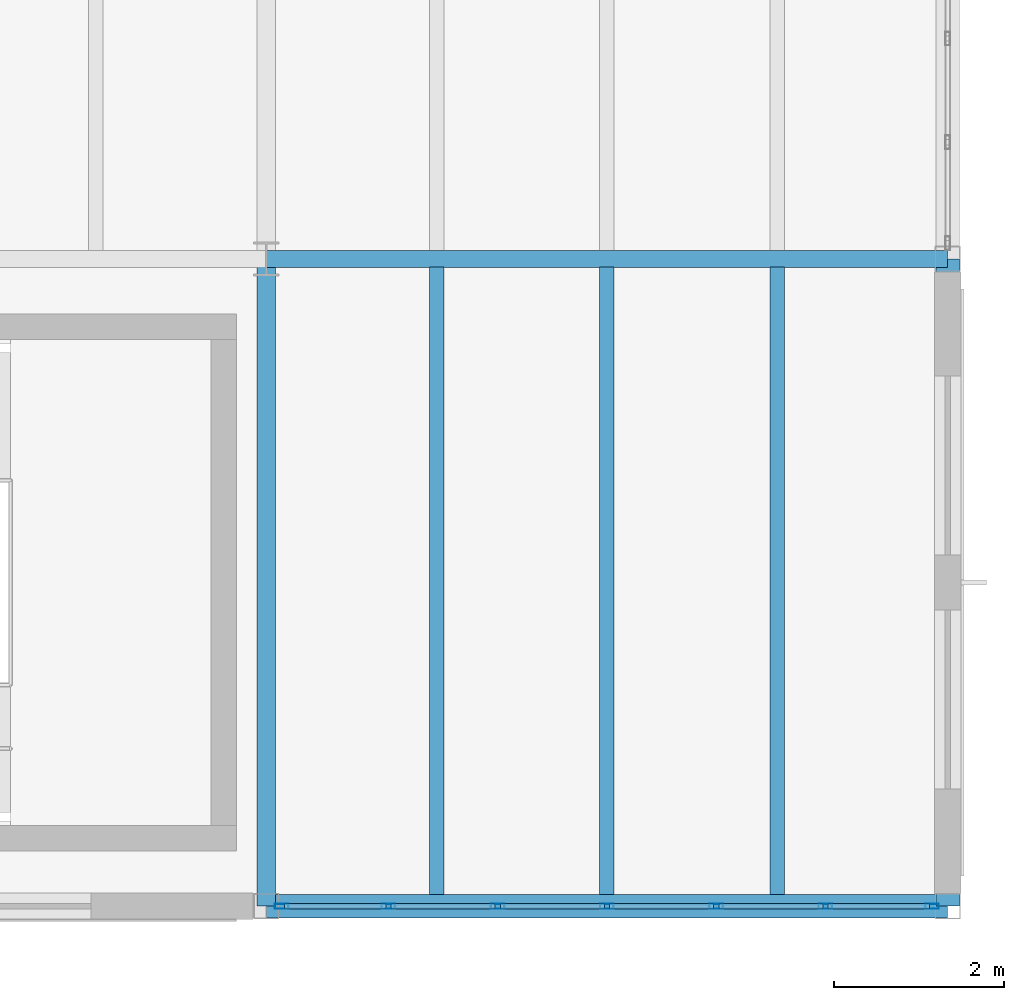
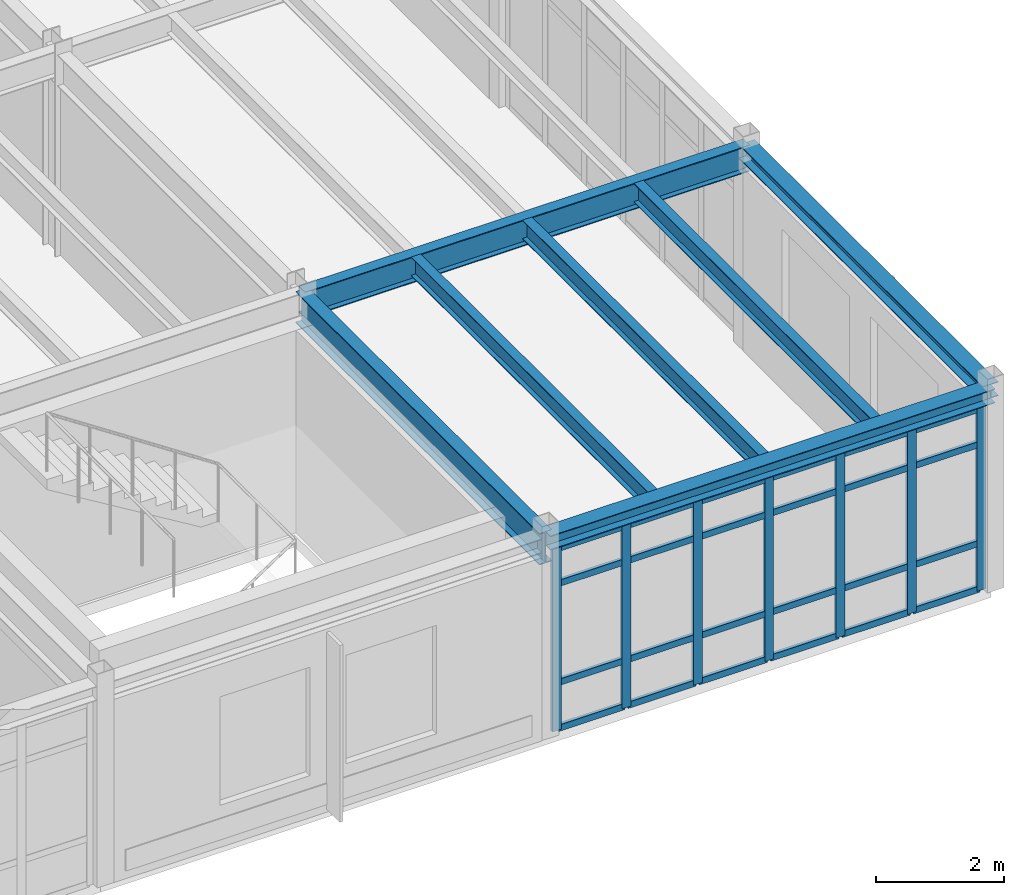
# One storey, part 101 of 165: 31 members, 7 beams, 1 element without a shape of its own.
"""IFC4 building model written with IfcOpenShell, lengths in metres."""

from ifc_helpers import new_model, si_unit, direction, frame, origin, origin_2d, place, context, subcontext, project, spatial, hollow_rectangle, i_section, extrude, material, layer, layer_set, material_profile, profile_set, type_object, element, aggregate, save


model = new_model("IFC4")

# Units and contexts
model_context = context("Model", 3, precision=1e-05, world=origin(), true_north=direction((0.0, 1.0)))
body_context = subcontext(model_context, "Body", "Model", "MODEL_VIEW")
ifc_project = project(units=[si_unit("LENGTHUNIT", "METRE"), si_unit("AREAUNIT", "SQUARE_METRE"), si_unit("VOLUMEUNIT", "CUBIC_METRE"), si_unit("PLANEANGLEUNIT", "RADIAN"), si_unit("MASSUNIT", "GRAM", prefix="KILO")], contexts=[model_context])

# Site, building, storey
site_placement = place(None, origin())
site = spatial("IfcSite", under=ifc_project, at=site_placement, CompositionType="ELEMENT")
building_placement = place(site_placement, origin())
building = spatial("IfcBuilding", under=site, at=building_placement, Name="Montecoro Central Library", CompositionType="ELEMENT")
storey_placement = place(building_placement, frame((0.0, 0.0, 5.10009765625)))
storey = spatial("IfcBuildingStorey", under=building, at=storey_placement, Name="L01", CompositionType="ELEMENT", Elevation=5.10009765625)

# Beams
ifc_material_1 = material(Name="Steel S355", Category="steel")
ifc_material_profile_1 = material_profile(ifc_material_1, i_section(OverallWidth=0.199951171875, OverallDepth=0.5, WebThickness=0.01025390625, FlangeThickness=0.01611328125, at=origin_2d()), Name="IPE 500")
ifc_profile_set_1 = profile_set([ifc_material_profile_1], Name="Steel S355")
beam_type_1 = type_object("IfcBeamType", Name="BM-G-IPE500", PredefinedType="USERDEFINED", material=ifc_profile_set_1)
beam_1_placement = place(storey_placement, frame((165.0048828125, 12.60009765625, 3.574951171875), z_axis=(1.0, 0.0, 0.0), x_axis=(0.0, 1.0, 0.0)))
element("IfcBeam", 1, at=beam_1_placement, inside=storey, type_object=beam_type_1, Name="V6-L01-BX-2122-B", ObjectType="GIRDER", PredefinedType="USERDEFINED", context=body_context, shape_type="SweptSolid", body=[
    extrude(i_section(OverallWidth=0.199951171875, OverallDepth=0.5, WebThickness=0.01025390625, FlangeThickness=0.01611328125, at=origin_2d()), origin(), (0.0, 0.0, 1.0), 7.990234375),
])
ifc_material_2 = material(Name="Steel S355J2", Category="steel")
ifc_material_profile_2 = material_profile(ifc_material_2, i_section(OverallWidth=0.219970703125, OverallDepth=0.60009765625, WebThickness=0.011962890625, FlangeThickness=0.01904296875, at=origin_2d()), Name="IPE 600")
ifc_profile_set_2 = profile_set([ifc_material_profile_2], Name="Steel S355J2")
beam_type_2 = type_object("IfcBeamType", Name="BM-G-IPE600", PredefinedType="USERDEFINED", material=ifc_profile_set_2)
beam_2_placement = place(storey_placement, frame((165.0, 5.0048828125, 3.52490234375), z_axis=(0.0, 1.0, 0.0), x_axis=(-1.0, 0.0, 0.0)))
element("IfcBeam", 2, at=beam_2_placement, inside=storey, type_object=beam_type_2, Name="V6-L01-BY-21-AB", ObjectType="GIRDER", PredefinedType="USERDEFINED", context=body_context, shape_type="SweptSolid", body=[
    extrude(i_section(OverallWidth=0.219970703125, OverallDepth=0.60009765625, WebThickness=0.011962890625, FlangeThickness=0.01904296875, at=origin_2d()), origin(), (0.0, 0.0, 1.0), 7.590087890625),
])
ifc_material_profile_3 = material_profile(ifc_material_1, i_section(OverallWidth=0.169921875, OverallDepth=0.360107421875, WebThickness=0.008056640625, FlangeThickness=0.0126953125, at=origin_2d()), Name="IPE 360")
ifc_profile_set_3 = profile_set([ifc_material_profile_3], Name="Steel S355")
beam_type_3 = type_object("IfcBeamType", Name="BM-J-IPE360", PredefinedType="JOIST", material=ifc_profile_set_3)
for number, where, z_axis, x_axis, name in (
    (3, (167.0, 5.136962890625, 3.64501953125), (0.0, 1.0, 0.0), (-1.0, 0.0, 0.0), "V6-L01-JS-2122-AB-1"),
    (4, (169.0, 5.136962890625, 3.64501953125), (0.0, 1.0, 0.0), (-1.0, 0.0, 0.0), "V6-L01-JS-2122-AB-2"),
    (5, (171.0, 5.136962890625, 3.64501953125), (0.0, 1.0, 0.0), (-1.0, 0.0, 0.0), "V6-L01-JS-2122-AB-3"),
):
    element("IfcBeam", number, at=place(storey_placement, frame(where, z_axis=z_axis, x_axis=x_axis)), inside=storey, type_object=beam_type_3, Name=name, PredefinedType="JOIST", context=body_context, shape_type="SweptSolid", body=[
        extrude(i_section(OverallWidth=0.169921875, OverallDepth=0.360107421875, WebThickness=0.008056640625, FlangeThickness=0.0126953125, at=origin_2d()), origin(), (0.0, 0.0, 1.0), 7.365966796875),
    ])
ifc_material_profile_4 = material_profile(ifc_material_1, i_section(OverallWidth=0.280029296875, OverallDepth=0.27001953125, WebThickness=0.008056640625, FlangeThickness=0.012939453125, at=origin_2d()), Name="HEA 280")
ifc_profile_set_4 = profile_set([ifc_material_profile_4], Name="Steel S355")
beam_type_4 = type_object("IfcBeamType", Name="BM-SP-HEA280", PredefinedType="SPANDREL", material=ifc_profile_set_4)
beam_3_placement = place(storey_placement, frame((165.0048828125, 5.0, 3.68994140625), z_axis=(1.0, 0.0, 0.0), x_axis=(0.0, 1.0, 0.0)))
element("IfcBeam", 6, at=beam_3_placement, inside=storey, type_object=beam_type_4, Name="V6-L01-BX-2122-A", PredefinedType="SPANDREL", context=body_context, shape_type="SweptSolid", body=[
    extrude(i_section(OverallWidth=0.280029296875, OverallDepth=0.27001953125, WebThickness=0.008056640625, FlangeThickness=0.012939453125, at=origin_2d()), origin(), (0.0, 0.0, 1.0), 7.990234375),
])
beam_4_placement = place(storey_placement, frame((173.0, 5.0048828125, 3.68994140625), z_axis=(0.0, 1.0, 0.0), x_axis=(-1.0, 0.0, 0.0)))
element("IfcBeam", 7, at=beam_4_placement, inside=storey, type_object=beam_type_4, Name="V6-L01-BY-22-AB", PredefinedType="SPANDREL", context=body_context, shape_type="SweptSolid", body=[
    extrude(i_section(OverallWidth=0.280029296875, OverallDepth=0.27001953125, WebThickness=0.008056640625, FlangeThickness=0.012939453125, at=origin_2d()), origin(), (0.0, 0.0, 1.0), 7.590087890625),
])

# Curtain wall, members
ifc_material_3 = material(Name="Bronze-anodised aluminium and low-E glazing", Category="aluminium")
ifc_layer = layer(ifc_material_3, 0.159912109375)
ifc_layer_set = layer_set([ifc_layer], Name="Bronze-anodised aluminium and low-E glazing")
curtain_wall_type = type_object("IfcCurtainWallType", Name="CWT-060", PredefinedType="NOTDEFINED", material=ifc_layer_set)
curtain_wall_placement = place(storey_placement, origin())
curtain_wall = element("IfcCurtainWall", 8, at=curtain_wall_placement, inside=storey, type_object=curtain_wall_type, Name="V6-L01-CW-S3", PredefinedType="NOTDEFINED")
ifc_material_4 = material(Name="Bronze-anodised aluminium", Category="aluminium")
ifc_material_profile_5 = material_profile(ifc_material_4, hollow_rectangle(XDim=0.06005859375, YDim=0.159912109375, WallThickness=0.00390625, at=origin_2d()), Name="CWM 160x60x4.0")
ifc_profile_set_5 = profile_set([ifc_material_profile_5], Name="Bronze-anodised aluminium")
member_type_1 = type_object("IfcMemberType", Name="CWM-BRZ-60", PredefinedType="MULLION", material=ifc_profile_set_5)
member_1_placement = place(storey_placement, frame((165.18310546875, 5.0, 0.0), z_axis=(0.0, 0.0, 1.0), x_axis=(0.0, 1.0, 0.0)))
member_1 = element("IfcMember", 9, at=member_1_placement, type_object=member_type_1, Name="CW-060 mullion 1", PredefinedType="MULLION", context=body_context, shape_type="SweptSolid", body=[
    extrude(hollow_rectangle(XDim=0.06005859375, YDim=0.159912109375, WallThickness=0.00390625, at=origin_2d()), origin(), (0.0, 0.0, 1.0), 3.47998046875),
])
member_2_placement = place(storey_placement, frame((166.435302734375, 5.0, 0.0), z_axis=(0.0, 0.0, 1.0), x_axis=(0.0, 1.0, 0.0)))
member_2 = element("IfcMember", 10, at=member_2_placement, type_object=member_type_1, Name="CW-060 mullion 2", PredefinedType="MULLION", context=body_context, shape_type="SweptSolid", body=[
    extrude(hollow_rectangle(XDim=0.06005859375, YDim=0.159912109375, WallThickness=0.00390625, at=origin_2d()), origin(), (0.0, 0.0, 1.0), 3.47998046875),
])
member_3_placement = place(storey_placement, frame((167.7177734375, 5.0, 0.0), z_axis=(0.0, 0.0, 1.0), x_axis=(0.0, 1.0, 0.0)))
member_3 = element("IfcMember", 11, at=member_3_placement, type_object=member_type_1, Name="CW-060 mullion 3", PredefinedType="MULLION", context=body_context, shape_type="SweptSolid", body=[
    extrude(hollow_rectangle(XDim=0.06005859375, YDim=0.159912109375, WallThickness=0.00390625, at=origin_2d()), origin(), (0.0, 0.0, 1.0), 3.47998046875),
])
member_4_placement = place(storey_placement, frame((169.0, 5.0, 0.0), z_axis=(0.0, 0.0, 1.0), x_axis=(0.0, 1.0, 0.0)))
member_4 = element("IfcMember", 12, at=member_4_placement, type_object=member_type_1, Name="CW-060 mullion 4", PredefinedType="MULLION", context=body_context, shape_type="SweptSolid", body=[
    extrude(hollow_rectangle(XDim=0.06005859375, YDim=0.159912109375, WallThickness=0.00390625, at=origin_2d()), origin(), (0.0, 0.0, 1.0), 3.47998046875),
])
member_5_placement = place(storey_placement, frame((170.2822265625, 5.0, 0.0), z_axis=(0.0, 0.0, 1.0), x_axis=(0.0, 1.0, 0.0)))
member_5 = element("IfcMember", 13, at=member_5_placement, type_object=member_type_1, Name="CW-060 mullion 5", PredefinedType="MULLION", context=body_context, shape_type="SweptSolid", body=[
    extrude(hollow_rectangle(XDim=0.06005859375, YDim=0.159912109375, WallThickness=0.00390625, at=origin_2d()), origin(), (0.0, 0.0, 1.0), 3.47998046875),
])
member_6_placement = place(storey_placement, frame((171.564697265625, 5.0, 0.0), z_axis=(0.0, 0.0, 1.0), x_axis=(0.0, 1.0, 0.0)))
member_6 = element("IfcMember", 14, at=member_6_placement, type_object=member_type_1, Name="CW-060 mullion 6", PredefinedType="MULLION", context=body_context, shape_type="SweptSolid", body=[
    extrude(hollow_rectangle(XDim=0.06005859375, YDim=0.159912109375, WallThickness=0.00390625, at=origin_2d()), origin(), (0.0, 0.0, 1.0), 3.47998046875),
])
member_7_placement = place(storey_placement, frame((172.81689453125, 5.0, 0.0), z_axis=(0.0, 0.0, 1.0), x_axis=(0.0, 1.0, 0.0)))
member_7 = element("IfcMember", 15, at=member_7_placement, type_object=member_type_1, Name="CW-060 mullion 7", PredefinedType="MULLION", context=body_context, shape_type="SweptSolid", body=[
    extrude(hollow_rectangle(XDim=0.06005859375, YDim=0.159912109375, WallThickness=0.00390625, at=origin_2d()), origin(), (0.0, 0.0, 1.0), 3.47998046875),
])
ifc_material_profile_6 = material_profile(ifc_material_4, hollow_rectangle(XDim=0.06005859375, YDim=0.1201171875, WallThickness=0.00390625, at=origin_2d()), Name="CWT 120x60x4.0")
ifc_profile_set_6 = profile_set([ifc_material_profile_6], Name="Bronze-anodised aluminium")
member_type_2 = type_object("IfcMemberType", Name="CWT-BRZ-60", PredefinedType="USERDEFINED", material=ifc_profile_set_6)
member_8_placement = place(storey_placement, frame((165.212890625, 5.0, 0.02978515625), z_axis=(1.0, 0.0, 0.0), x_axis=(0.0, 1.0, 0.0)))
member_8 = element("IfcMember", 16, at=member_8_placement, type_object=member_type_2, Name="CW-060 transom 1.1", ObjectType="TRANSOM", PredefinedType="USERDEFINED", context=body_context, shape_type="SweptSolid", body=[
    extrude(hollow_rectangle(XDim=0.06005859375, YDim=0.1201171875, WallThickness=0.00390625, at=origin_2d()), origin(), (0.0, 0.0, 1.0), 1.1923828125),
])
member_9_placement = place(storey_placement, frame((165.212890625, 5.0, 0.89990234375), z_axis=(1.0, 0.0, 0.0), x_axis=(0.0, 1.0, 0.0)))
member_9 = element("IfcMember", 17, at=member_9_placement, type_object=member_type_2, Name="CW-060 transom 1.2", ObjectType="TRANSOM", PredefinedType="USERDEFINED", context=body_context, shape_type="SweptSolid", body=[
    extrude(hollow_rectangle(XDim=0.06005859375, YDim=0.1201171875, WallThickness=0.00390625, at=origin_2d()), origin(), (0.0, 0.0, 1.0), 1.1923828125),
])
member_10_placement = place(storey_placement, frame((165.212890625, 5.0, 2.77978515625), z_axis=(1.0, 0.0, 0.0), x_axis=(0.0, 1.0, 0.0)))
member_10 = element("IfcMember", 18, at=member_10_placement, type_object=member_type_2, Name="CW-060 transom 1.3", ObjectType="TRANSOM", PredefinedType="USERDEFINED", context=body_context, shape_type="SweptSolid", body=[
    extrude(hollow_rectangle(XDim=0.06005859375, YDim=0.1201171875, WallThickness=0.00390625, at=origin_2d()), origin(), (0.0, 0.0, 1.0), 1.1923828125),
])
member_11_placement = place(storey_placement, frame((165.212890625, 5.0, 3.449951171875), z_axis=(1.0, 0.0, 0.0), x_axis=(0.0, 1.0, 0.0)))
member_11 = element("IfcMember", 19, at=member_11_placement, type_object=member_type_2, Name="CW-060 transom 1.4", ObjectType="TRANSOM", PredefinedType="USERDEFINED", context=body_context, shape_type="SweptSolid", body=[
    extrude(hollow_rectangle(XDim=0.06005859375, YDim=0.1201171875, WallThickness=0.00390625, at=origin_2d()), origin(), (0.0, 0.0, 1.0), 1.1923828125),
])
member_12_placement = place(storey_placement, frame((166.46533203125, 5.0, 0.02978515625), z_axis=(1.0, 0.0, 0.0), x_axis=(0.0, 1.0, 0.0)))
member_12 = element("IfcMember", 20, at=member_12_placement, type_object=member_type_2, Name="CW-060 transom 2.1", ObjectType="TRANSOM", PredefinedType="USERDEFINED", context=body_context, shape_type="SweptSolid", body=[
    extrude(hollow_rectangle(XDim=0.06005859375, YDim=0.1201171875, WallThickness=0.00390625, at=origin_2d()), origin(), (0.0, 0.0, 1.0), 1.222412109375),
])
member_13_placement = place(storey_placement, frame((166.46533203125, 5.0, 0.89990234375), z_axis=(1.0, 0.0, 0.0), x_axis=(0.0, 1.0, 0.0)))
member_13 = element("IfcMember", 21, at=member_13_placement, type_object=member_type_2, Name="CW-060 transom 2.2", ObjectType="TRANSOM", PredefinedType="USERDEFINED", context=body_context, shape_type="SweptSolid", body=[
    extrude(hollow_rectangle(XDim=0.06005859375, YDim=0.1201171875, WallThickness=0.00390625, at=origin_2d()), origin(), (0.0, 0.0, 1.0), 1.222412109375),
])
member_14_placement = place(storey_placement, frame((166.46533203125, 5.0, 2.77978515625), z_axis=(1.0, 0.0, 0.0), x_axis=(0.0, 1.0, 0.0)))
member_14 = element("IfcMember", 22, at=member_14_placement, type_object=member_type_2, Name="CW-060 transom 2.3", ObjectType="TRANSOM", PredefinedType="USERDEFINED", context=body_context, shape_type="SweptSolid", body=[
    extrude(hollow_rectangle(XDim=0.06005859375, YDim=0.1201171875, WallThickness=0.00390625, at=origin_2d()), origin(), (0.0, 0.0, 1.0), 1.222412109375),
])
member_15_placement = place(storey_placement, frame((166.46533203125, 5.0, 3.449951171875), z_axis=(1.0, 0.0, 0.0), x_axis=(0.0, 1.0, 0.0)))
member_15 = element("IfcMember", 23, at=member_15_placement, type_object=member_type_2, Name="CW-060 transom 2.4", ObjectType="TRANSOM", PredefinedType="USERDEFINED", context=body_context, shape_type="SweptSolid", body=[
    extrude(hollow_rectangle(XDim=0.06005859375, YDim=0.1201171875, WallThickness=0.00390625, at=origin_2d()), origin(), (0.0, 0.0, 1.0), 1.222412109375),
])
member_16_placement = place(storey_placement, frame((167.74755859375, 5.0, 0.02978515625), z_axis=(1.0, 0.0, 0.0), x_axis=(0.0, 1.0, 0.0)))
member_16 = element("IfcMember", 24, at=member_16_placement, type_object=member_type_2, Name="CW-060 transom 3.1", ObjectType="TRANSOM", PredefinedType="USERDEFINED", context=body_context, shape_type="SweptSolid", body=[
    extrude(hollow_rectangle(XDim=0.06005859375, YDim=0.1201171875, WallThickness=0.00390625, at=origin_2d()), origin(), (0.0, 0.0, 1.0), 1.222412109375),
])
member_17_placement = place(storey_placement, frame((167.74755859375, 5.0, 0.89990234375), z_axis=(1.0, 0.0, 0.0), x_axis=(0.0, 1.0, 0.0)))
member_17 = element("IfcMember", 25, at=member_17_placement, type_object=member_type_2, Name="CW-060 transom 3.2", ObjectType="TRANSOM", PredefinedType="USERDEFINED", context=body_context, shape_type="SweptSolid", body=[
    extrude(hollow_rectangle(XDim=0.06005859375, YDim=0.1201171875, WallThickness=0.00390625, at=origin_2d()), origin(), (0.0, 0.0, 1.0), 1.222412109375),
])
member_18_placement = place(storey_placement, frame((167.74755859375, 5.0, 2.77978515625), z_axis=(1.0, 0.0, 0.0), x_axis=(0.0, 1.0, 0.0)))
member_18 = element("IfcMember", 26, at=member_18_placement, type_object=member_type_2, Name="CW-060 transom 3.3", ObjectType="TRANSOM", PredefinedType="USERDEFINED", context=body_context, shape_type="SweptSolid", body=[
    extrude(hollow_rectangle(XDim=0.06005859375, YDim=0.1201171875, WallThickness=0.00390625, at=origin_2d()), origin(), (0.0, 0.0, 1.0), 1.222412109375),
])
member_19_placement = place(storey_placement, frame((167.74755859375, 5.0, 3.449951171875), z_axis=(1.0, 0.0, 0.0), x_axis=(0.0, 1.0, 0.0)))
member_19 = element("IfcMember", 27, at=member_19_placement, type_object=member_type_2, Name="CW-060 transom 3.4", ObjectType="TRANSOM", PredefinedType="USERDEFINED", context=body_context, shape_type="SweptSolid", body=[
    extrude(hollow_rectangle(XDim=0.06005859375, YDim=0.1201171875, WallThickness=0.00390625, at=origin_2d()), origin(), (0.0, 0.0, 1.0), 1.222412109375),
])
member_20_placement = place(storey_placement, frame((169.030029296875, 5.0, 0.02978515625), z_axis=(1.0, 0.0, 0.0), x_axis=(0.0, 1.0, 0.0)))
member_20 = element("IfcMember", 28, at=member_20_placement, type_object=member_type_2, Name="CW-060 transom 4.1", ObjectType="TRANSOM", PredefinedType="USERDEFINED", context=body_context, shape_type="SweptSolid", body=[
    extrude(hollow_rectangle(XDim=0.06005859375, YDim=0.1201171875, WallThickness=0.00390625, at=origin_2d()), origin(), (0.0, 0.0, 1.0), 1.222412109375),
])
member_21_placement = place(storey_placement, frame((169.030029296875, 5.0, 0.89990234375), z_axis=(1.0, 0.0, 0.0), x_axis=(0.0, 1.0, 0.0)))
member_21 = element("IfcMember", 29, at=member_21_placement, type_object=member_type_2, Name="CW-060 transom 4.2", ObjectType="TRANSOM", PredefinedType="USERDEFINED", context=body_context, shape_type="SweptSolid", body=[
    extrude(hollow_rectangle(XDim=0.06005859375, YDim=0.1201171875, WallThickness=0.00390625, at=origin_2d()), origin(), (0.0, 0.0, 1.0), 1.222412109375),
])
member_22_placement = place(storey_placement, frame((169.030029296875, 5.0, 2.77978515625), z_axis=(1.0, 0.0, 0.0), x_axis=(0.0, 1.0, 0.0)))
member_22 = element("IfcMember", 30, at=member_22_placement, type_object=member_type_2, Name="CW-060 transom 4.3", ObjectType="TRANSOM", PredefinedType="USERDEFINED", context=body_context, shape_type="SweptSolid", body=[
    extrude(hollow_rectangle(XDim=0.06005859375, YDim=0.1201171875, WallThickness=0.00390625, at=origin_2d()), origin(), (0.0, 0.0, 1.0), 1.222412109375),
])
member_23_placement = place(storey_placement, frame((169.030029296875, 5.0, 3.449951171875), z_axis=(1.0, 0.0, 0.0), x_axis=(0.0, 1.0, 0.0)))
member_23 = element("IfcMember", 31, at=member_23_placement, type_object=member_type_2, Name="CW-060 transom 4.4", ObjectType="TRANSOM", PredefinedType="USERDEFINED", context=body_context, shape_type="SweptSolid", body=[
    extrude(hollow_rectangle(XDim=0.06005859375, YDim=0.1201171875, WallThickness=0.00390625, at=origin_2d()), origin(), (0.0, 0.0, 1.0), 1.222412109375),
])
member_24_placement = place(storey_placement, frame((170.312255859375, 5.0, 0.02978515625), z_axis=(1.0, 0.0, 0.0), x_axis=(0.0, 1.0, 0.0)))
member_24 = element("IfcMember", 32, at=member_24_placement, type_object=member_type_2, Name="CW-060 transom 5.1", ObjectType="TRANSOM", PredefinedType="USERDEFINED", context=body_context, shape_type="SweptSolid", body=[
    extrude(hollow_rectangle(XDim=0.06005859375, YDim=0.1201171875, WallThickness=0.00390625, at=origin_2d()), origin(), (0.0, 0.0, 1.0), 1.222412109375),
])
member_25_placement = place(storey_placement, frame((170.312255859375, 5.0, 0.89990234375), z_axis=(1.0, 0.0, 0.0), x_axis=(0.0, 1.0, 0.0)))
member_25 = element("IfcMember", 33, at=member_25_placement, type_object=member_type_2, Name="CW-060 transom 5.2", ObjectType="TRANSOM", PredefinedType="USERDEFINED", context=body_context, shape_type="SweptSolid", body=[
    extrude(hollow_rectangle(XDim=0.06005859375, YDim=0.1201171875, WallThickness=0.00390625, at=origin_2d()), origin(), (0.0, 0.0, 1.0), 1.222412109375),
])
member_26_placement = place(storey_placement, frame((170.312255859375, 5.0, 2.77978515625), z_axis=(1.0, 0.0, 0.0), x_axis=(0.0, 1.0, 0.0)))
member_26 = element("IfcMember", 34, at=member_26_placement, type_object=member_type_2, Name="CW-060 transom 5.3", ObjectType="TRANSOM", PredefinedType="USERDEFINED", context=body_context, shape_type="SweptSolid", body=[
    extrude(hollow_rectangle(XDim=0.06005859375, YDim=0.1201171875, WallThickness=0.00390625, at=origin_2d()), origin(), (0.0, 0.0, 1.0), 1.222412109375),
])
member_27_placement = place(storey_placement, frame((170.312255859375, 5.0, 3.449951171875), z_axis=(1.0, 0.0, 0.0), x_axis=(0.0, 1.0, 0.0)))
member_27 = element("IfcMember", 35, at=member_27_placement, type_object=member_type_2, Name="CW-060 transom 5.4", ObjectType="TRANSOM", PredefinedType="USERDEFINED", context=body_context, shape_type="SweptSolid", body=[
    extrude(hollow_rectangle(XDim=0.06005859375, YDim=0.1201171875, WallThickness=0.00390625, at=origin_2d()), origin(), (0.0, 0.0, 1.0), 1.222412109375),
])
member_28_placement = place(storey_placement, frame((171.5947265625, 5.0, 0.02978515625), z_axis=(1.0, 0.0, 0.0), x_axis=(0.0, 1.0, 0.0)))
member_28 = element("IfcMember", 36, at=member_28_placement, type_object=member_type_2, Name="CW-060 transom 6.1", ObjectType="TRANSOM", PredefinedType="USERDEFINED", context=body_context, shape_type="SweptSolid", body=[
    extrude(hollow_rectangle(XDim=0.06005859375, YDim=0.1201171875, WallThickness=0.00390625, at=origin_2d()), origin(), (0.0, 0.0, 1.0), 1.1923828125),
])
member_29_placement = place(storey_placement, frame((171.5947265625, 5.0, 0.89990234375), z_axis=(1.0, 0.0, 0.0), x_axis=(0.0, 1.0, 0.0)))
member_29 = element("IfcMember", 37, at=member_29_placement, type_object=member_type_2, Name="CW-060 transom 6.2", ObjectType="TRANSOM", PredefinedType="USERDEFINED", context=body_context, shape_type="SweptSolid", body=[
    extrude(hollow_rectangle(XDim=0.06005859375, YDim=0.1201171875, WallThickness=0.00390625, at=origin_2d()), origin(), (0.0, 0.0, 1.0), 1.1923828125),
])
member_30_placement = place(storey_placement, frame((171.5947265625, 5.0, 2.77978515625), z_axis=(1.0, 0.0, 0.0), x_axis=(0.0, 1.0, 0.0)))
member_30 = element("IfcMember", 38, at=member_30_placement, type_object=member_type_2, Name="CW-060 transom 6.3", ObjectType="TRANSOM", PredefinedType="USERDEFINED", context=body_context, shape_type="SweptSolid", body=[
    extrude(hollow_rectangle(XDim=0.06005859375, YDim=0.1201171875, WallThickness=0.00390625, at=origin_2d()), origin(), (0.0, 0.0, 1.0), 1.1923828125),
])
member_31_placement = place(storey_placement, frame((171.5947265625, 5.0, 3.449951171875), z_axis=(1.0, 0.0, 0.0), x_axis=(0.0, 1.0, 0.0)))
member_31 = element("IfcMember", 39, at=member_31_placement, type_object=member_type_2, Name="CW-060 transom 6.4", ObjectType="TRANSOM", PredefinedType="USERDEFINED", context=body_context, shape_type="SweptSolid", body=[
    extrude(hollow_rectangle(XDim=0.06005859375, YDim=0.1201171875, WallThickness=0.00390625, at=origin_2d()), origin(), (0.0, 0.0, 1.0), 1.1923828125),
])
aggregate(curtain_wall, [member_1, member_2, member_3, member_4, member_5, member_6, member_7, member_8, member_9, member_10, member_11, member_12, member_13, member_14, member_15, member_16, member_17, member_18, member_19, member_20, member_21, member_22, member_23, member_24, member_25, member_26, member_27, member_28, member_29, member_30, member_31])

save(model, "model.ifc")
